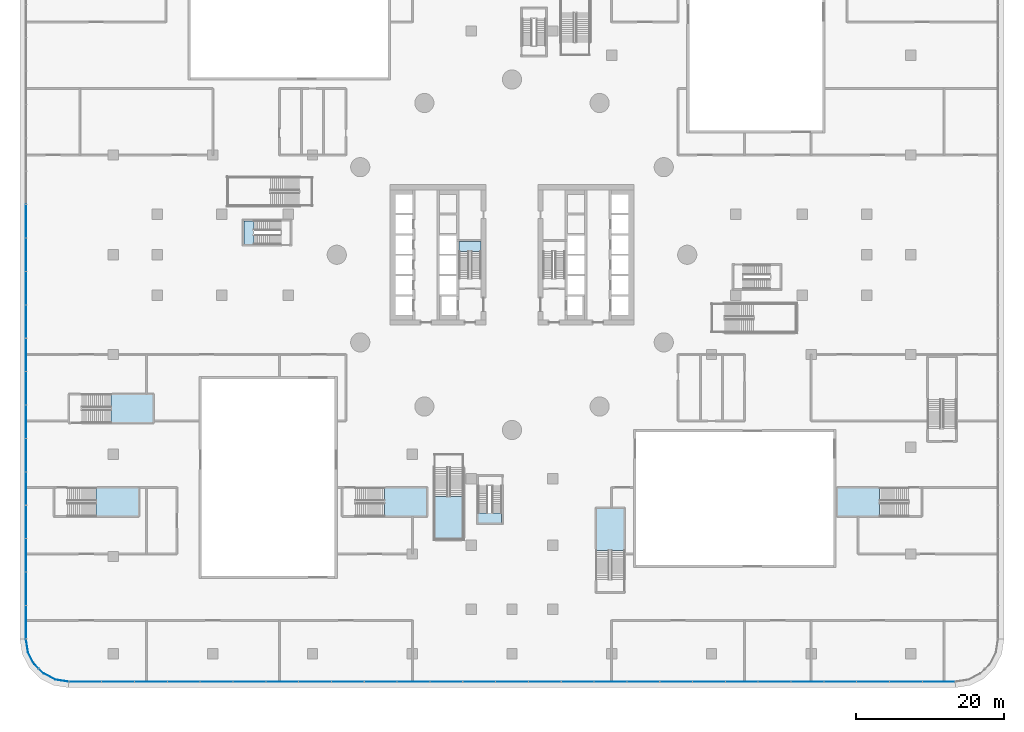
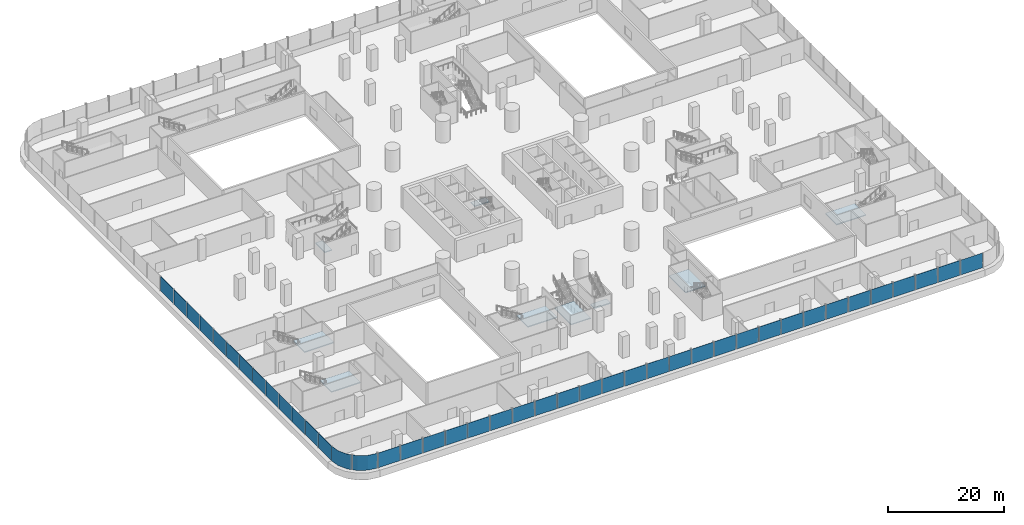
# One storey, part 21 of 44: 42 plates, 9 slabs, 12 elements without a shape of their own.
"""IFC4 building model written with IfcOpenShell, lengths in metres."""

from ifc_helpers import new_model, si_unit, direction, frame, origin, place, context, subcontext, project, spatial, polyline, outline, extrude, material, layer, layer_set, type_object, element, aggregate, save


model = new_model("IFC4")

# Units and contexts
model_context = context("Model", 3, precision=1e-05, world=origin(), true_north=direction((0.0, 1.0)))
body_context = subcontext(model_context, "Body", "Model", "MODEL_VIEW")
ifc_project = project(units=[si_unit("LENGTHUNIT", "METRE"), si_unit("AREAUNIT", "SQUARE_METRE"), si_unit("VOLUMEUNIT", "CUBIC_METRE"), si_unit("PLANEANGLEUNIT", "RADIAN"), si_unit("MASSUNIT", "GRAM", prefix="KILO")], contexts=[model_context])

# Site, building, storey
site_placement = place(None, origin())
site = spatial("IfcSite", under=ifc_project, at=site_placement, CompositionType="ELEMENT")
building_placement = place(site_placement, origin())
building = spatial("IfcBuilding", under=site, at=building_placement, Name="Tamarind Cross Interchange Tower", CompositionType="ELEMENT")
storey_placement = place(building_placement, frame((0.0, 0.0, 15.0)))
storey = spatial("IfcBuildingStorey", under=building, at=storey_placement, Name="L02", CompositionType="ELEMENT", Elevation=15.0)

# Stair, slab
ifc_material_1 = material(Name="Public stair")
stair_type_1 = type_object("IfcStairType", Name="Public stair", PredefinedType="HALF_TURN_STAIR", material=ifc_material_1)
stair_1_placement = place(storey_placement, origin())
stair_1 = element("IfcStair", 1, at=stair_1_placement, inside=storey, type_object=stair_type_1, Name="L02 public stair PS-S", PredefinedType="HALF_TURN_STAIR")
ifc_material_2 = material(Name="Concrete C40", Category="concrete")
ifc_layer_1 = layer(ifc_material_2, 0.199951171875)
ifc_layer_set_1 = layer_set([ifc_layer_1], Name="Concrete C40")
slab_type_1 = type_object("IfcSlabType", Name="Public stair landing", PredefinedType="LANDING", material=ifc_layer_set_1)
slab_1_placement = place(storey_placement, frame((0.0, 0.0, 2.300048828125)))
slab_1 = element("IfcSlab", 2, at=slab_1_placement, type_object=slab_type_1, Name="PS-S landing 1", PredefinedType="LANDING", context=body_context, shape_type="SweptSolid", body=[
    extrude(outline(polyline([(-10.5, -32.719970703125), (-10.5, -38.5), (-6.60009765625, -38.5), (-6.60009765625, -32.719970703125), (-10.5, -32.719970703125)])), origin(), (0.0, 0.0, 1.0), 0.199951171875),
])
aggregate(stair_1, [slab_1])

stair_2_placement = place(storey_placement, origin())
stair_2 = element("IfcStair", 3, at=stair_2_placement, inside=storey, type_object=stair_type_1, Name="L02 exit stair XS-P07", PredefinedType="HALF_TURN_STAIR")
slab_2_placement = place(storey_placement, frame((0.0, 0.0, 2.300048828125)))
slab_2 = element("IfcSlab", 4, at=slab_2_placement, type_object=slab_type_1, Name="XS-P07 landing 1", PredefinedType="LANDING", context=body_context, shape_type="SweptSolid", body=[
    extrude(outline(polyline([(-56.280029296875, -35.39990234375), (-50.5, -35.39990234375), (-50.5, -31.5), (-56.280029296875, -31.5), (-56.280029296875, -35.39990234375)])), origin(), (0.0, 0.0, 1.0), 0.199951171875),
])
aggregate(stair_2, [slab_2])

stair_3_placement = place(storey_placement, origin())
stair_3 = element("IfcStair", 5, at=stair_3_placement, inside=storey, type_object=stair_type_1, Name="L02 exit stair XS-P08", PredefinedType="HALF_TURN_STAIR")
slab_3_placement = place(storey_placement, frame((0.0, 0.0, 2.300048828125)))
slab_3 = element("IfcSlab", 6, at=slab_3_placement, type_object=slab_type_1, Name="XS-P08 landing 1", PredefinedType="LANDING", context=body_context, shape_type="SweptSolid", body=[
    extrude(outline(polyline([(-54.280029296875, -22.75), (-48.5, -22.75), (-48.5, -18.85009765625), (-54.280029296875, -18.85009765625), (-54.280029296875, -22.75)])), origin(), (0.0, 0.0, 1.0), 0.199951171875),
])
aggregate(stair_3, [slab_3])

stair_4_placement = place(storey_placement, origin())
stair_4 = element("IfcStair", 7, at=stair_4_placement, inside=storey, type_object=stair_type_1, Name="L02 exit stair XS-P09", PredefinedType="HALF_TURN_STAIR")
slab_4_placement = place(storey_placement, frame((0.0, 0.0, 2.300048828125)))
slab_4 = element("IfcSlab", 8, at=slab_4_placement, type_object=slab_type_1, Name="XS-P09 landing 1", PredefinedType="LANDING", context=body_context, shape_type="SweptSolid", body=[
    extrude(outline(polyline([(-17.280029296875, -35.39990234375), (-11.5, -35.39990234375), (-11.5, -31.5), (-17.280029296875, -31.5), (-17.280029296875, -35.39990234375)])), origin(), (0.0, 0.0, 1.0), 0.199951171875),
])
aggregate(stair_4, [slab_4])

stair_5_placement = place(storey_placement, origin())
stair_5 = element("IfcStair", 9, at=stair_5_placement, inside=storey, type_object=stair_type_1, Name="L02 exit stair XS-P10", PredefinedType="HALF_TURN_STAIR")
slab_5_placement = place(storey_placement, frame((0.0, 0.0, 2.300048828125)))
slab_5 = element("IfcSlab", 10, at=slab_5_placement, type_object=slab_type_1, Name="XS-P10 landing 1", PredefinedType="LANDING", context=body_context, shape_type="SweptSolid", body=[
    extrude(outline(polyline([(49.780029296875, -31.5), (44.0, -31.5), (44.0, -35.39990234375), (49.780029296875, -35.39990234375), (49.780029296875, -31.5)])), origin(), (0.0, 0.0, 1.0), 0.199951171875),
])
aggregate(stair_5, [slab_5])

stair_6_placement = place(storey_placement, origin())
stair_6 = element("IfcStair", 11, at=stair_6_placement, inside=storey, type_object=stair_type_1, Name="L02 exit stair XS-P12", PredefinedType="HALF_TURN_STAIR")
slab_6_placement = place(storey_placement, frame((0.0, 0.0, 2.300048828125)))
slab_6 = element("IfcSlab", 12, at=slab_6_placement, type_object=slab_type_1, Name="XS-P12 landing 1", PredefinedType="LANDING", context=body_context, shape_type="SweptSolid", body=[
    extrude(outline(polyline([(15.25, -40.030029296875), (15.25, -34.25), (11.35009765625, -34.25), (11.35009765625, -40.030029296875), (15.25, -40.030029296875)])), origin(), (0.0, 0.0, 1.0), 0.199951171875),
])
aggregate(stair_6, [slab_6])

ifc_material_3 = material(Name="Exit stair")
stair_type_2 = type_object("IfcStairType", Name="Exit stair", PredefinedType="HALF_TURN_STAIR", material=ifc_material_3)
stair_7_placement = place(storey_placement, origin())
stair_7 = element("IfcStair", 13, at=stair_7_placement, inside=storey, type_object=stair_type_2, Name="L02 exit stair ST1", PredefinedType="HALF_TURN_STAIR")
ifc_layer_2 = layer(ifc_material_2, 0.199951171875)
ifc_layer_set_2 = layer_set([ifc_layer_2], Name="Concrete C40")
slab_type_2 = type_object("IfcSlabType", Name="Stair landing", PredefinedType="LANDING", material=ifc_layer_set_2)
slab_7_placement = place(storey_placement, frame((0.0, 0.0, 2.300048828125)))
slab_7 = element("IfcSlab", 14, at=slab_7_placement, type_object=slab_type_2, Name="ST1 landing 1", PredefinedType="LANDING", context=body_context, shape_type="SweptSolid", body=[
    extrude(outline(polyline([(-4.199951171875, 0.43994140625), (-4.199951171875, 1.800048828125), (-7.14990234375, 1.800048828125), (-7.14990234375, 0.43994140625), (-4.199951171875, 0.43994140625)])), origin(), (0.0, 0.0, 1.0), 0.199951171875),
])
aggregate(stair_7, [slab_7])

stair_8_placement = place(storey_placement, origin())
stair_8 = element("IfcStair", 15, at=stair_8_placement, inside=storey, type_object=stair_type_2, Name="L02 exit stair ST5", PredefinedType="HALF_TURN_STAIR")
slab_8_placement = place(storey_placement, frame((0.0, 0.0, 2.300048828125)))
slab_8 = element("IfcSlab", 16, at=slab_8_placement, type_object=slab_type_2, Name="ST5 landing 1", PredefinedType="LANDING", context=body_context, shape_type="SweptSolid", body=[
    extrude(outline(polyline([(-34.927978515625, 4.60009765625), (-36.300048828125, 4.60009765625), (-36.300048828125, 1.39990234375), (-34.927978515625, 1.39990234375), (-34.927978515625, 4.60009765625)])), origin(), (0.0, 0.0, 1.0), 0.199951171875),
])
aggregate(stair_8, [slab_8])

stair_9_placement = place(storey_placement, origin())
stair_9 = element("IfcStair", 17, at=stair_9_placement, inside=storey, type_object=stair_type_2, Name="L02 exit stair ST6", PredefinedType="HALF_TURN_STAIR")
slab_9_placement = place(storey_placement, frame((0.0, 0.0, 2.300048828125)))
slab_9 = element("IfcSlab", 18, at=slab_9_placement, type_object=slab_type_2, Name="ST6 landing 1", PredefinedType="LANDING", context=body_context, shape_type="SweptSolid", body=[
    extrude(outline(polyline([(-4.60009765625, -34.927978515625), (-4.60009765625, -36.300048828125), (-1.39990234375, -36.300048828125), (-1.39990234375, -34.927978515625), (-4.60009765625, -34.927978515625)])), origin(), (0.0, 0.0, 1.0), 0.199951171875),
])
aggregate(stair_9, [slab_9])

# Curtain wall, plates
ifc_material_4 = material(Name="Aluminium 6063-T6", Category="aluminium")
ifc_layer_3 = layer(ifc_material_4, 0.199951171875)
ifc_layer_set_3 = layer_set([ifc_layer_3], Name="Aluminium 6063-T6")
curtain_wall_type = type_object("IfcCurtainWallType", Name="Podium shopfront and station curtain wall", PredefinedType="NOTDEFINED", material=ifc_layer_set_3)
curtain_wall_1_placement = place(storey_placement, origin())
curtain_wall_1 = element("IfcCurtainWall", 19, at=curtain_wall_1_placement, inside=storey, type_object=curtain_wall_type, Name="CWS-L02-04", PredefinedType="NOTDEFINED")
ifc_material_5 = material(Name="Toughened low-e glass 10+12+10", Category="glass")
ifc_layer_4 = layer(ifc_material_5, 0.031982421875)
ifc_layer_set_4 = layer_set([ifc_layer_4], Name="Toughened low-e glass 10+12+10")
plate_type = type_object("IfcPlateType", Name="Vision panel CW3", PredefinedType="CURTAIN_PANEL", material=ifc_layer_set_4)
plate_1_placement = place(storey_placement, frame((0.0, 0.0, 1.39990234375)))
plate_1 = element("IfcPlate", 20, at=plate_1_placement, type_object=plate_type, Name="CWP-L02-04-10", PredefinedType="CURTAIN_PANEL", context=body_context, shape_type="SweptSolid", body=[
    extrude(outline(polyline([(-65.783935546875, 6.740478515625), (-65.783935546875, 2.30029296875), (-65.81591796875, 2.30029296875), (-65.81591796875, 6.740478515625), (-65.783935546875, 6.740478515625)])), origin(), (0.0, 0.0, 1.0), 3.10009765625),
])
plate_2_placement = place(storey_placement, frame((0.0, 0.0, 1.39990234375)))
plate_2 = element("IfcPlate", 21, at=plate_2_placement, type_object=plate_type, Name="CWP-L02-04-11", PredefinedType="CURTAIN_PANEL", context=body_context, shape_type="SweptSolid", body=[
    extrude(outline(polyline([(-65.783935546875, 2.22021484375), (-65.783935546875, -2.22021484375), (-65.81591796875, -2.22021484375), (-65.81591796875, 2.22021484375), (-65.783935546875, 2.22021484375)])), origin(), (0.0, 0.0, 1.0), 3.10009765625),
])
plate_3_placement = place(storey_placement, frame((0.0, 0.0, 1.39990234375)))
plate_3 = element("IfcPlate", 22, at=plate_3_placement, type_object=plate_type, Name="CWP-L02-04-12", PredefinedType="CURTAIN_PANEL", context=body_context, shape_type="SweptSolid", body=[
    extrude(outline(polyline([(-65.783935546875, -2.30029296875), (-65.783935546875, -6.740478515625), (-65.81591796875, -6.740478515625), (-65.81591796875, -2.30029296875), (-65.783935546875, -2.30029296875)])), origin(), (0.0, 0.0, 1.0), 3.10009765625),
])
plate_4_placement = place(storey_placement, frame((0.0, 0.0, 1.39990234375)))
plate_4 = element("IfcPlate", 23, at=plate_4_placement, type_object=plate_type, Name="CWP-L02-04-13", PredefinedType="CURTAIN_PANEL", context=body_context, shape_type="SweptSolid", body=[
    extrude(outline(polyline([(-65.783935546875, -6.820556640625), (-65.783935546875, -11.260986328125), (-65.81591796875, -11.260986328125), (-65.81591796875, -6.820556640625), (-65.783935546875, -6.820556640625)])), origin(), (0.0, 0.0, 1.0), 3.10009765625),
])
plate_5_placement = place(storey_placement, frame((0.0, 0.0, 1.39990234375)))
plate_5 = element("IfcPlate", 24, at=plate_5_placement, type_object=plate_type, Name="CWP-L02-04-14", PredefinedType="CURTAIN_PANEL", context=body_context, shape_type="SweptSolid", body=[
    extrude(outline(polyline([(-65.783935546875, -11.3408203125), (-65.783935546875, -15.78125), (-65.81591796875, -15.78125), (-65.81591796875, -11.3408203125), (-65.783935546875, -11.3408203125)])), origin(), (0.0, 0.0, 1.0), 3.10009765625),
])
plate_6_placement = place(storey_placement, frame((0.0, 0.0, 1.39990234375)))
plate_6 = element("IfcPlate", 25, at=plate_6_placement, type_object=plate_type, Name="CWP-L02-04-15", PredefinedType="CURTAIN_PANEL", context=body_context, shape_type="SweptSolid", body=[
    extrude(outline(polyline([(-65.783935546875, -15.861328125), (-65.783935546875, -20.3017578125), (-65.81591796875, -20.3017578125), (-65.81591796875, -15.861328125), (-65.783935546875, -15.861328125)])), origin(), (0.0, 0.0, 1.0), 3.10009765625),
])
plate_7_placement = place(storey_placement, frame((0.0, 0.0, 1.39990234375)))
plate_7 = element("IfcPlate", 26, at=plate_7_placement, type_object=plate_type, Name="CWP-L02-04-16", PredefinedType="CURTAIN_PANEL", context=body_context, shape_type="SweptSolid", body=[
    extrude(outline(polyline([(-65.783935546875, -20.381591796875), (-65.783935546875, -24.822021484375), (-65.81591796875, -24.822021484375), (-65.81591796875, -20.381591796875), (-65.783935546875, -20.381591796875)])), origin(), (0.0, 0.0, 1.0), 3.10009765625),
])
plate_8_placement = place(storey_placement, frame((0.0, 0.0, 1.39990234375)))
plate_8 = element("IfcPlate", 27, at=plate_8_placement, type_object=plate_type, Name="CWP-L02-04-17", PredefinedType="CURTAIN_PANEL", context=body_context, shape_type="SweptSolid", body=[
    extrude(outline(polyline([(-65.783935546875, -24.902099609375), (-65.783935546875, -29.342529296875), (-65.81591796875, -29.342529296875), (-65.81591796875, -24.902099609375), (-65.783935546875, -24.902099609375)])), origin(), (0.0, 0.0, 1.0), 3.10009765625),
])
plate_9_placement = place(storey_placement, frame((0.0, 0.0, 1.39990234375)))
plate_9 = element("IfcPlate", 28, at=plate_9_placement, type_object=plate_type, Name="CWP-L02-04-18", PredefinedType="CURTAIN_PANEL", context=body_context, shape_type="SweptSolid", body=[
    extrude(outline(polyline([(-65.783935546875, -29.42236328125), (-65.783935546875, -33.86279296875), (-65.81591796875, -33.86279296875), (-65.81591796875, -29.42236328125), (-65.783935546875, -29.42236328125)])), origin(), (0.0, 0.0, 1.0), 3.10009765625),
])
plate_10_placement = place(storey_placement, frame((0.0, 0.0, 1.39990234375)))
plate_10 = element("IfcPlate", 29, at=plate_10_placement, type_object=plate_type, Name="CWP-L02-04-19", PredefinedType="CURTAIN_PANEL", context=body_context, shape_type="SweptSolid", body=[
    extrude(outline(polyline([(-65.783935546875, -33.94287109375), (-65.783935546875, -38.383056640625), (-65.81591796875, -38.383056640625), (-65.81591796875, -33.94287109375), (-65.783935546875, -33.94287109375)])), origin(), (0.0, 0.0, 1.0), 3.10009765625),
])
plate_11_placement = place(storey_placement, frame((0.0, 0.0, 1.39990234375)))
plate_11 = element("IfcPlate", 30, at=plate_11_placement, type_object=plate_type, Name="CWP-L02-04-20", PredefinedType="CURTAIN_PANEL", context=body_context, shape_type="SweptSolid", body=[
    extrude(outline(polyline([(-65.783935546875, -38.463134765625), (-65.783935546875, -42.903564453125), (-65.81591796875, -42.903564453125), (-65.81591796875, -38.463134765625), (-65.783935546875, -38.463134765625)])), origin(), (0.0, 0.0, 1.0), 3.10009765625),
])
plate_12_placement = place(storey_placement, frame((0.0, 0.0, 1.39990234375)))
plate_12 = element("IfcPlate", 31, at=plate_12_placement, type_object=plate_type, Name="CWP-L02-04-21", PredefinedType="CURTAIN_PANEL", context=body_context, shape_type="SweptSolid", body=[
    extrude(outline(polyline([(-65.783935546875, -42.9833984375), (-65.783935546875, -47.423828125), (-65.81591796875, -47.423828125), (-65.81591796875, -42.9833984375), (-65.783935546875, -42.9833984375)])), origin(), (0.0, 0.0, 1.0), 3.10009765625),
])
plate_13_placement = place(storey_placement, frame((0.0, 0.0, 1.39990234375)))
plate_13 = element("IfcPlate", 32, at=plate_13_placement, type_object=plate_type, Name="CWP-L02-04-22", PredefinedType="CURTAIN_PANEL", context=body_context, shape_type="SweptSolid", body=[
    extrude(outline(polyline([(-65.783935546875, -47.50390625), (-65.783935546875, -51.9443359375), (-65.81591796875, -51.9443359375), (-65.81591796875, -47.50390625), (-65.783935546875, -47.50390625)])), origin(), (0.0, 0.0, 1.0), 3.10009765625),
])
aggregate(curtain_wall_1, [plate_1, plate_2, plate_3, plate_4, plate_5, plate_6, plate_7, plate_8, plate_9, plate_10, plate_11, plate_12, plate_13])

curtain_wall_2_placement = place(storey_placement, origin())
curtain_wall_2 = element("IfcCurtainWall", 33, at=curtain_wall_2_placement, inside=storey, type_object=curtain_wall_type, Name="CWS-L02-05", PredefinedType="NOTDEFINED")
plate_14_placement = place(storey_placement, frame((0.0, 0.0, 1.39990234375)))
plate_14 = element("IfcPlate", 34, at=plate_14_placement, type_object=plate_type, Name="CWP-L02-05-00", PredefinedType="CURTAIN_PANEL", context=body_context, shape_type="SweptSolid", body=[
    extrude(outline(polyline([(-65.77783203125, -52.021240234375), (-65.498291015625, -53.78662109375), (-64.67724609375, -55.398193359375), (-64.06591796875, -56.00927734375), (-64.088623046875, -56.031982421875), (-64.703369140625, -55.417236328125), (-65.529052734375, -53.796630859375), (-65.8095703125, -52.0263671875), (-65.77783203125, -52.021240234375)])), origin(), (0.0, 0.0, 1.0), 3.10009765625),
])
plate_15_placement = place(storey_placement, frame((0.0, 0.0, 1.39990234375)))
plate_15 = element("IfcPlate", 35, at=plate_15_placement, type_object=plate_type, Name="CWP-L02-05-01", PredefinedType="CURTAIN_PANEL", context=body_context, shape_type="SweptSolid", body=[
    extrude(outline(polyline([(-64.00927734375, -56.06591796875), (-63.398193359375, -56.67724609375), (-61.78662109375, -57.498291015625), (-60.021240234375, -57.77783203125), (-60.0263671875, -57.8095703125), (-61.796630859375, -57.529052734375), (-63.417236328125, -56.703369140625), (-64.031982421875, -56.088623046875), (-64.00927734375, -56.06591796875)])), origin(), (0.0, 0.0, 1.0), 3.10009765625),
])
aggregate(curtain_wall_2, [plate_14, plate_15])

curtain_wall_3_placement = place(storey_placement, origin())
curtain_wall_3 = element("IfcCurtainWall", 36, at=curtain_wall_3_placement, inside=storey, type_object=curtain_wall_type, Name="CWS-L02-06", PredefinedType="NOTDEFINED")
plate_16_placement = place(storey_placement, frame((0.0, 0.0, 1.39990234375)))
plate_16 = element("IfcPlate", 37, at=plate_16_placement, type_object=plate_type, Name="CWP-L02-06-00", PredefinedType="CURTAIN_PANEL", context=body_context, shape_type="SweptSolid", body=[
    extrude(outline(polyline([(-59.9443359375, -57.783935546875), (-55.5810546875, -57.783935546875), (-55.5810546875, -57.81591796875), (-59.9443359375, -57.81591796875), (-59.9443359375, -57.783935546875)])), origin(), (0.0, 0.0, 1.0), 3.10009765625),
])
plate_17_placement = place(storey_placement, frame((0.0, 0.0, 1.39990234375)))
plate_17 = element("IfcPlate", 38, at=plate_17_placement, type_object=plate_type, Name="CWP-L02-06-01", PredefinedType="CURTAIN_PANEL", context=body_context, shape_type="SweptSolid", body=[
    extrude(outline(polyline([(-55.5009765625, -57.783935546875), (-51.1376953125, -57.783935546875), (-51.1376953125, -57.81591796875), (-55.5009765625, -57.81591796875), (-55.5009765625, -57.783935546875)])), origin(), (0.0, 0.0, 1.0), 3.10009765625),
])
plate_18_placement = place(storey_placement, frame((0.0, 0.0, 1.39990234375)))
plate_18 = element("IfcPlate", 39, at=plate_18_placement, type_object=plate_type, Name="CWP-L02-06-02", PredefinedType="CURTAIN_PANEL", context=body_context, shape_type="SweptSolid", body=[
    extrude(outline(polyline([(-51.0576171875, -57.783935546875), (-46.6943359375, -57.783935546875), (-46.6943359375, -57.81591796875), (-51.0576171875, -57.81591796875), (-51.0576171875, -57.783935546875)])), origin(), (0.0, 0.0, 1.0), 3.10009765625),
])
plate_19_placement = place(storey_placement, frame((0.0, 0.0, 1.39990234375)))
plate_19 = element("IfcPlate", 40, at=plate_19_placement, type_object=plate_type, Name="CWP-L02-06-03", PredefinedType="CURTAIN_PANEL", context=body_context, shape_type="SweptSolid", body=[
    extrude(outline(polyline([(-46.614501953125, -57.783935546875), (-42.251220703125, -57.783935546875), (-42.251220703125, -57.81591796875), (-46.614501953125, -57.81591796875), (-46.614501953125, -57.783935546875)])), origin(), (0.0, 0.0, 1.0), 3.10009765625),
])
plate_20_placement = place(storey_placement, frame((0.0, 0.0, 1.39990234375)))
plate_20 = element("IfcPlate", 41, at=plate_20_placement, type_object=plate_type, Name="CWP-L02-06-04", PredefinedType="CURTAIN_PANEL", context=body_context, shape_type="SweptSolid", body=[
    extrude(outline(polyline([(-42.171142578125, -57.783935546875), (-37.807861328125, -57.783935546875), (-37.807861328125, -57.81591796875), (-42.171142578125, -57.81591796875), (-42.171142578125, -57.783935546875)])), origin(), (0.0, 0.0, 1.0), 3.10009765625),
])
plate_21_placement = place(storey_placement, frame((0.0, 0.0, 1.39990234375)))
plate_21 = element("IfcPlate", 42, at=plate_21_placement, type_object=plate_type, Name="CWP-L02-06-05", PredefinedType="CURTAIN_PANEL", context=body_context, shape_type="SweptSolid", body=[
    extrude(outline(polyline([(-37.727783203125, -57.783935546875), (-33.364501953125, -57.783935546875), (-33.364501953125, -57.81591796875), (-37.727783203125, -57.81591796875), (-37.727783203125, -57.783935546875)])), origin(), (0.0, 0.0, 1.0), 3.10009765625),
])
plate_22_placement = place(storey_placement, frame((0.0, 0.0, 1.39990234375)))
plate_22 = element("IfcPlate", 43, at=plate_22_placement, type_object=plate_type, Name="CWP-L02-06-06", PredefinedType="CURTAIN_PANEL", context=body_context, shape_type="SweptSolid", body=[
    extrude(outline(polyline([(-33.28466796875, -57.783935546875), (-28.92138671875, -57.783935546875), (-28.92138671875, -57.81591796875), (-33.28466796875, -57.81591796875), (-33.28466796875, -57.783935546875)])), origin(), (0.0, 0.0, 1.0), 3.10009765625),
])
plate_23_placement = place(storey_placement, frame((0.0, 0.0, 1.39990234375)))
plate_23 = element("IfcPlate", 44, at=plate_23_placement, type_object=plate_type, Name="CWP-L02-06-07", PredefinedType="CURTAIN_PANEL", context=body_context, shape_type="SweptSolid", body=[
    extrude(outline(polyline([(-28.84130859375, -57.783935546875), (-24.47802734375, -57.783935546875), (-24.47802734375, -57.81591796875), (-28.84130859375, -57.81591796875), (-28.84130859375, -57.783935546875)])), origin(), (0.0, 0.0, 1.0), 3.10009765625),
])
plate_24_placement = place(storey_placement, frame((0.0, 0.0, 1.39990234375)))
plate_24 = element("IfcPlate", 45, at=plate_24_placement, type_object=plate_type, Name="CWP-L02-06-08", PredefinedType="CURTAIN_PANEL", context=body_context, shape_type="SweptSolid", body=[
    extrude(outline(polyline([(-24.39794921875, -57.783935546875), (-20.03466796875, -57.783935546875), (-20.03466796875, -57.81591796875), (-24.39794921875, -57.81591796875), (-24.39794921875, -57.783935546875)])), origin(), (0.0, 0.0, 1.0), 3.10009765625),
])
plate_25_placement = place(storey_placement, frame((0.0, 0.0, 1.39990234375)))
plate_25 = element("IfcPlate", 46, at=plate_25_placement, type_object=plate_type, Name="CWP-L02-06-09", PredefinedType="CURTAIN_PANEL", context=body_context, shape_type="SweptSolid", body=[
    extrude(outline(polyline([(-19.954833984375, -57.783935546875), (-15.591552734375, -57.783935546875), (-15.591552734375, -57.81591796875), (-19.954833984375, -57.81591796875), (-19.954833984375, -57.783935546875)])), origin(), (0.0, 0.0, 1.0), 3.10009765625),
])
plate_26_placement = place(storey_placement, frame((0.0, 0.0, 1.39990234375)))
plate_26 = element("IfcPlate", 47, at=plate_26_placement, type_object=plate_type, Name="CWP-L02-06-10", PredefinedType="CURTAIN_PANEL", context=body_context, shape_type="SweptSolid", body=[
    extrude(outline(polyline([(-15.511474609375, -57.783935546875), (-11.148193359375, -57.783935546875), (-11.148193359375, -57.81591796875), (-15.511474609375, -57.81591796875), (-15.511474609375, -57.783935546875)])), origin(), (0.0, 0.0, 1.0), 3.10009765625),
])
plate_27_placement = place(storey_placement, frame((0.0, 0.0, 1.39990234375)))
plate_27 = element("IfcPlate", 48, at=plate_27_placement, type_object=plate_type, Name="CWP-L02-06-11", PredefinedType="CURTAIN_PANEL", context=body_context, shape_type="SweptSolid", body=[
    extrude(outline(polyline([(-11.068115234375, -57.783935546875), (-6.704833984375, -57.783935546875), (-6.704833984375, -57.81591796875), (-11.068115234375, -57.81591796875), (-11.068115234375, -57.783935546875)])), origin(), (0.0, 0.0, 1.0), 3.10009765625),
])
plate_28_placement = place(storey_placement, frame((0.0, 0.0, 1.39990234375)))
plate_28 = element("IfcPlate", 49, at=plate_28_placement, type_object=plate_type, Name="CWP-L02-06-12", PredefinedType="CURTAIN_PANEL", context=body_context, shape_type="SweptSolid", body=[
    extrude(outline(polyline([(-6.625, -57.783935546875), (-2.26171875, -57.783935546875), (-2.26171875, -57.81591796875), (-6.625, -57.81591796875), (-6.625, -57.783935546875)])), origin(), (0.0, 0.0, 1.0), 3.10009765625),
])
plate_29_placement = place(storey_placement, frame((0.0, 0.0, 1.39990234375)))
plate_29 = element("IfcPlate", 50, at=plate_29_placement, type_object=plate_type, Name="CWP-L02-06-13", PredefinedType="CURTAIN_PANEL", context=body_context, shape_type="SweptSolid", body=[
    extrude(outline(polyline([(-2.181640625, -57.783935546875), (2.181640625, -57.783935546875), (2.181640625, -57.81591796875), (-2.181640625, -57.81591796875), (-2.181640625, -57.783935546875)])), origin(), (0.0, 0.0, 1.0), 3.10009765625),
])
plate_30_placement = place(storey_placement, frame((0.0, 0.0, 1.39990234375)))
plate_30 = element("IfcPlate", 51, at=plate_30_placement, type_object=plate_type, Name="CWP-L02-06-14", PredefinedType="CURTAIN_PANEL", context=body_context, shape_type="SweptSolid", body=[
    extrude(outline(polyline([(2.26171875, -57.783935546875), (6.625, -57.783935546875), (6.625, -57.81591796875), (2.26171875, -57.81591796875), (2.26171875, -57.783935546875)])), origin(), (0.0, 0.0, 1.0), 3.10009765625),
])
plate_31_placement = place(storey_placement, frame((0.0, 0.0, 1.39990234375)))
plate_31 = element("IfcPlate", 52, at=plate_31_placement, type_object=plate_type, Name="CWP-L02-06-15", PredefinedType="CURTAIN_PANEL", context=body_context, shape_type="SweptSolid", body=[
    extrude(outline(polyline([(6.704833984375, -57.783935546875), (11.068115234375, -57.783935546875), (11.068115234375, -57.81591796875), (6.704833984375, -57.81591796875), (6.704833984375, -57.783935546875)])), origin(), (0.0, 0.0, 1.0), 3.10009765625),
])
plate_32_placement = place(storey_placement, frame((0.0, 0.0, 1.39990234375)))
plate_32 = element("IfcPlate", 53, at=plate_32_placement, type_object=plate_type, Name="CWP-L02-06-16", PredefinedType="CURTAIN_PANEL", context=body_context, shape_type="SweptSolid", body=[
    extrude(outline(polyline([(11.148193359375, -57.783935546875), (15.511474609375, -57.783935546875), (15.511474609375, -57.81591796875), (11.148193359375, -57.81591796875), (11.148193359375, -57.783935546875)])), origin(), (0.0, 0.0, 1.0), 3.10009765625),
])
plate_33_placement = place(storey_placement, frame((0.0, 0.0, 1.39990234375)))
plate_33 = element("IfcPlate", 54, at=plate_33_placement, type_object=plate_type, Name="CWP-L02-06-17", PredefinedType="CURTAIN_PANEL", context=body_context, shape_type="SweptSolid", body=[
    extrude(outline(polyline([(15.591552734375, -57.783935546875), (19.954833984375, -57.783935546875), (19.954833984375, -57.81591796875), (15.591552734375, -57.81591796875), (15.591552734375, -57.783935546875)])), origin(), (0.0, 0.0, 1.0), 3.10009765625),
])
plate_34_placement = place(storey_placement, frame((0.0, 0.0, 1.39990234375)))
plate_34 = element("IfcPlate", 55, at=plate_34_placement, type_object=plate_type, Name="CWP-L02-06-18", PredefinedType="CURTAIN_PANEL", context=body_context, shape_type="SweptSolid", body=[
    extrude(outline(polyline([(20.03466796875, -57.783935546875), (24.39794921875, -57.783935546875), (24.39794921875, -57.81591796875), (20.03466796875, -57.81591796875), (20.03466796875, -57.783935546875)])), origin(), (0.0, 0.0, 1.0), 3.10009765625),
])
plate_35_placement = place(storey_placement, frame((0.0, 0.0, 1.39990234375)))
plate_35 = element("IfcPlate", 56, at=plate_35_placement, type_object=plate_type, Name="CWP-L02-06-19", PredefinedType="CURTAIN_PANEL", context=body_context, shape_type="SweptSolid", body=[
    extrude(outline(polyline([(24.47802734375, -57.783935546875), (28.84130859375, -57.783935546875), (28.84130859375, -57.81591796875), (24.47802734375, -57.81591796875), (24.47802734375, -57.783935546875)])), origin(), (0.0, 0.0, 1.0), 3.10009765625),
])
plate_36_placement = place(storey_placement, frame((0.0, 0.0, 1.39990234375)))
plate_36 = element("IfcPlate", 57, at=plate_36_placement, type_object=plate_type, Name="CWP-L02-06-20", PredefinedType="CURTAIN_PANEL", context=body_context, shape_type="SweptSolid", body=[
    extrude(outline(polyline([(28.92138671875, -57.783935546875), (33.28466796875, -57.783935546875), (33.28466796875, -57.81591796875), (28.92138671875, -57.81591796875), (28.92138671875, -57.783935546875)])), origin(), (0.0, 0.0, 1.0), 3.10009765625),
])
plate_37_placement = place(storey_placement, frame((0.0, 0.0, 1.39990234375)))
plate_37 = element("IfcPlate", 58, at=plate_37_placement, type_object=plate_type, Name="CWP-L02-06-21", PredefinedType="CURTAIN_PANEL", context=body_context, shape_type="SweptSolid", body=[
    extrude(outline(polyline([(33.364501953125, -57.783935546875), (37.727783203125, -57.783935546875), (37.727783203125, -57.81591796875), (33.364501953125, -57.81591796875), (33.364501953125, -57.783935546875)])), origin(), (0.0, 0.0, 1.0), 3.10009765625),
])
plate_38_placement = place(storey_placement, frame((0.0, 0.0, 1.39990234375)))
plate_38 = element("IfcPlate", 59, at=plate_38_placement, type_object=plate_type, Name="CWP-L02-06-22", PredefinedType="CURTAIN_PANEL", context=body_context, shape_type="SweptSolid", body=[
    extrude(outline(polyline([(37.807861328125, -57.783935546875), (42.171142578125, -57.783935546875), (42.171142578125, -57.81591796875), (37.807861328125, -57.81591796875), (37.807861328125, -57.783935546875)])), origin(), (0.0, 0.0, 1.0), 3.10009765625),
])
plate_39_placement = place(storey_placement, frame((0.0, 0.0, 1.39990234375)))
plate_39 = element("IfcPlate", 60, at=plate_39_placement, type_object=plate_type, Name="CWP-L02-06-23", PredefinedType="CURTAIN_PANEL", context=body_context, shape_type="SweptSolid", body=[
    extrude(outline(polyline([(42.251220703125, -57.783935546875), (46.614501953125, -57.783935546875), (46.614501953125, -57.81591796875), (42.251220703125, -57.81591796875), (42.251220703125, -57.783935546875)])), origin(), (0.0, 0.0, 1.0), 3.10009765625),
])
plate_40_placement = place(storey_placement, frame((0.0, 0.0, 1.39990234375)))
plate_40 = element("IfcPlate", 61, at=plate_40_placement, type_object=plate_type, Name="CWP-L02-06-24", PredefinedType="CURTAIN_PANEL", context=body_context, shape_type="SweptSolid", body=[
    extrude(outline(polyline([(46.6943359375, -57.783935546875), (51.0576171875, -57.783935546875), (51.0576171875, -57.81591796875), (46.6943359375, -57.81591796875), (46.6943359375, -57.783935546875)])), origin(), (0.0, 0.0, 1.0), 3.10009765625),
])
plate_41_placement = place(storey_placement, frame((0.0, 0.0, 1.39990234375)))
plate_41 = element("IfcPlate", 62, at=plate_41_placement, type_object=plate_type, Name="CWP-L02-06-25", PredefinedType="CURTAIN_PANEL", context=body_context, shape_type="SweptSolid", body=[
    extrude(outline(polyline([(51.1376953125, -57.783935546875), (55.5009765625, -57.783935546875), (55.5009765625, -57.81591796875), (51.1376953125, -57.81591796875), (51.1376953125, -57.783935546875)])), origin(), (0.0, 0.0, 1.0), 3.10009765625),
])
plate_42_placement = place(storey_placement, frame((0.0, 0.0, 1.39990234375)))
plate_42 = element("IfcPlate", 63, at=plate_42_placement, type_object=plate_type, Name="CWP-L02-06-26", PredefinedType="CURTAIN_PANEL", context=body_context, shape_type="SweptSolid", body=[
    extrude(outline(polyline([(55.5810546875, -57.783935546875), (59.9443359375, -57.783935546875), (59.9443359375, -57.81591796875), (55.5810546875, -57.81591796875), (55.5810546875, -57.783935546875)])), origin(), (0.0, 0.0, 1.0), 3.10009765625),
])
aggregate(curtain_wall_3, [plate_16, plate_17, plate_18, plate_19, plate_20, plate_21, plate_22, plate_23, plate_24, plate_25, plate_26, plate_27, plate_28, plate_29, plate_30, plate_31, plate_32, plate_33, plate_34, plate_35, plate_36, plate_37, plate_38, plate_39, plate_40, plate_41, plate_42])

save(model, "model.ifc")
